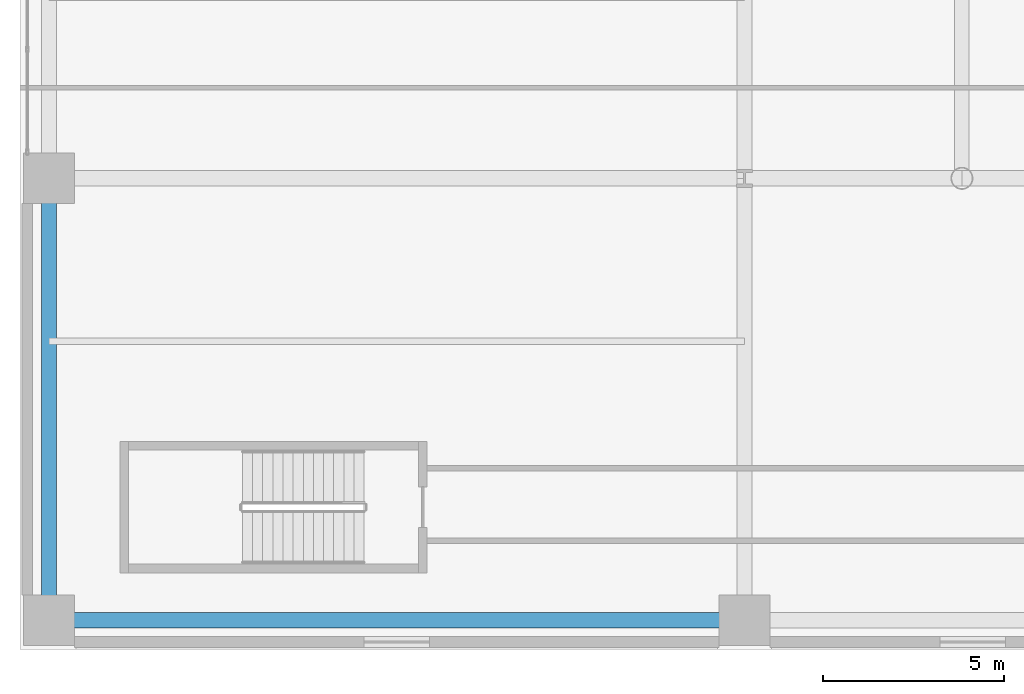
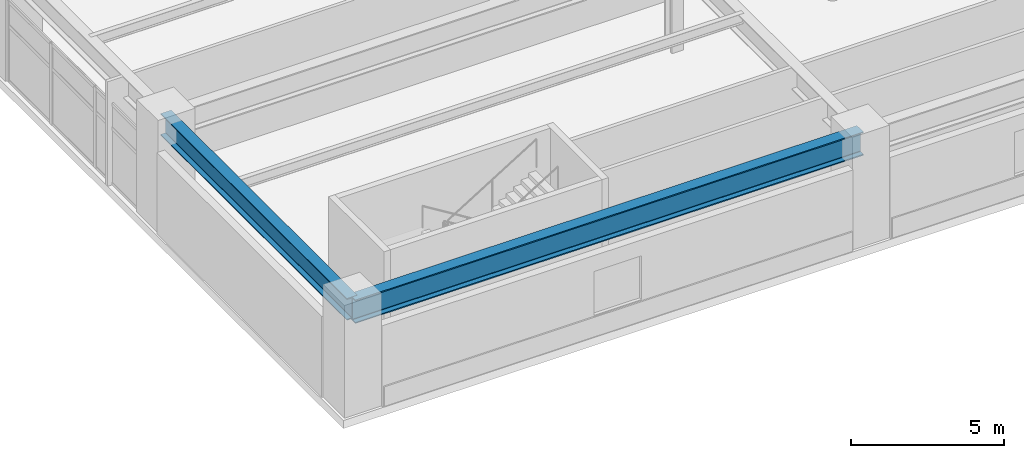
# One storey, part 4 of 28: 2 beams.
"""IFC4 building model written with IfcOpenShell, lengths in metres."""

from ifc_helpers import new_model, si_unit, direction, frame, origin, origin_2d, place, context, subcontext, project, spatial, i_section, extrude, material, material_profile, profile_set, type_object, element, save


model = new_model("IFC4")

# Units and contexts
model_context = context("Model", 3, precision=1e-05, world=origin(), true_north=direction((0.0, 1.0)))
body_context = subcontext(model_context, "Body", "Model", "MODEL_VIEW")
ifc_project = project(units=[si_unit("LENGTHUNIT", "METRE"), si_unit("AREAUNIT", "SQUARE_METRE"), si_unit("VOLUMEUNIT", "CUBIC_METRE"), si_unit("PLANEANGLEUNIT", "RADIAN"), si_unit("MASSUNIT", "GRAM", prefix="KILO")], contexts=[model_context])

# Site, building, storey
site_placement = place(None, origin())
site = spatial("IfcSite", under=ifc_project, at=site_placement, CompositionType="ELEMENT")
building_placement = place(site_placement, origin())
building = spatial("IfcBuilding", under=site, at=building_placement, Name="Soratama Intermodal Tower", CompositionType="ELEMENT")
storey_placement = place(building_placement, frame((0.0, 0.0, 16.199951171875)))
storey = spatial("IfcBuildingStorey", under=building, at=storey_placement, Name="L03", CompositionType="ELEMENT", Elevation=16.199951171875)

# Beams
ifc_material_1 = material(Name="Structural steel ASTM A992 Grade 50", Category="steel")
ifc_material_profile_1 = material_profile(ifc_material_1, i_section(OverallWidth=0.403076171875, OverallDepth=0.867919921875, WebThickness=0.02099609375, FlangeThickness=0.03564453125, FilletRadius=0.01806640625, at=origin_2d()), Name="W33X241")
ifc_profile_set_1 = profile_set([ifc_material_profile_1], Name="Structural steel ASTM A992 Grade 50")
beam_type_1 = type_object("IfcBeamType", Name="BM-POD-EXT-W33", PredefinedType="BEAM", material=ifc_profile_set_1)
beam_1_placement = place(storey_placement, frame((0.800048828125, 2.800048828125, 3.74609375), z_axis=(0.0, 1.0, 0.0), x_axis=(-1.0, 0.0, 0.0)))
element("IfcBeam", 1, at=beam_1_placement, inside=storey, type_object=beam_type_1, Name="L03 Station Girder Y1-1", PredefinedType="BEAM", context=body_context, shape_type="SweptSolid", body=[
    extrude(i_section(OverallWidth=0.403076171875, OverallDepth=0.867919921875, WebThickness=0.02099609375, FlangeThickness=0.03564453125, FilletRadius=0.01806640625, at=origin_2d()), origin(), (0.0, 0.0, 1.0), 12.199951171875),
])
ifc_material_2 = material(Name="Structural steel ASTM A992 Grade 50", Category="steel")
ifc_material_profile_2 = material_profile(ifc_material_2, i_section(OverallWidth=0.423095703125, OverallDepth=0.93896484375, WebThickness=0.02392578125, FlangeThickness=0.042724609375, FilletRadius=0.02392578125, at=origin_2d()), Name="W36X302")
ifc_profile_set_2 = profile_set([ifc_material_profile_2], Name="Structural steel ASTM A992 Grade 50")
beam_type_2 = type_object("IfcBeamType", Name="BM-POD-EXT-W36", PredefinedType="BEAM", material=ifc_profile_set_2)
beam_2_placement = place(storey_placement, frame((0.800048828125, 2.800048828125, 3.71044921875), z_axis=(1.0, 0.0, 0.0), x_axis=(0.0, 1.0, 0.0)))
element("IfcBeam", 2, at=beam_2_placement, inside=storey, type_object=beam_type_2, Name="L03 Station Girder X1-1", PredefinedType="BEAM", context=body_context, shape_type="SweptSolid", body=[
    extrude(i_section(OverallWidth=0.423095703125, OverallDepth=0.93896484375, WebThickness=0.02392578125, FlangeThickness=0.042724609375, FilletRadius=0.02392578125, at=origin_2d()), origin(), (0.0, 0.0, 1.0), 19.199951171875),
])

save(model, "model.ifc")
